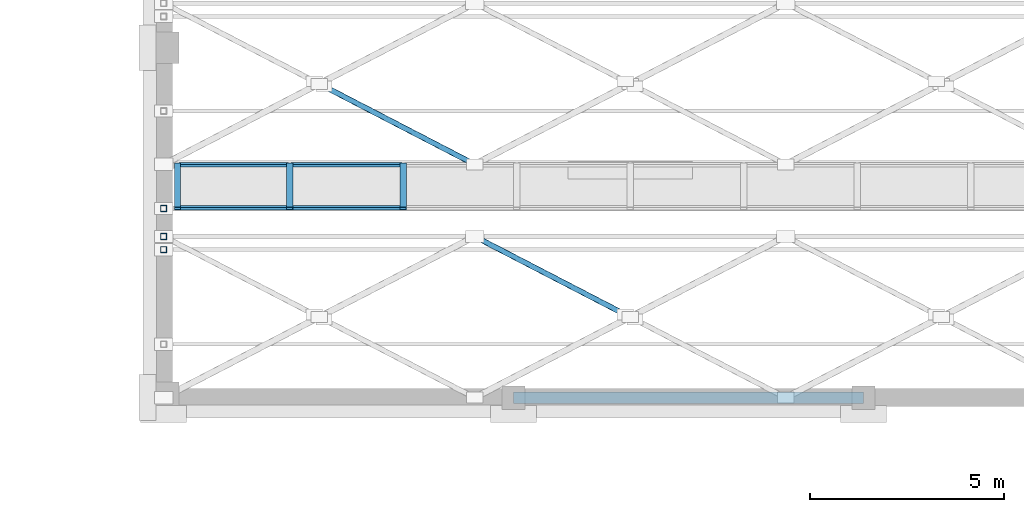
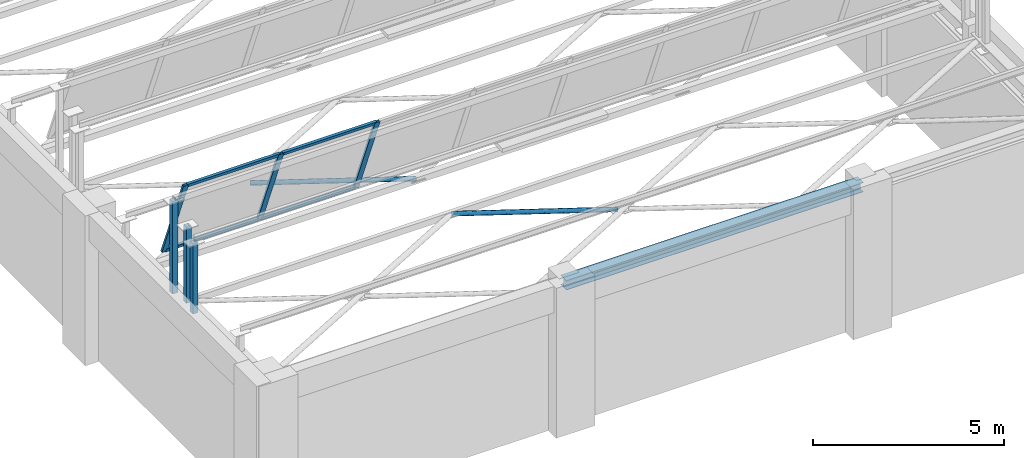
# One storey, part 50 of 98: 12 members, 1 beam, 1 element without a shape of its own.
"""IFC4 building model written with IfcOpenShell, lengths in metres."""

from ifc_helpers import new_model, si_unit, direction, frame, origin, origin_2d, place, context, subcontext, project, spatial, hollow_rectangle, hollow_circle, i_section, extrude, material, material_profile, profile_set, type_object, element, aggregate, save


model = new_model("IFC4")

# Units and contexts
model_context = context("Model", 3, precision=1e-05, world=origin(), true_north=direction((0.0, 1.0)))
body_context = subcontext(model_context, "Body", "Model", "MODEL_VIEW")
ifc_project = project(units=[si_unit("LENGTHUNIT", "METRE"), si_unit("AREAUNIT", "SQUARE_METRE"), si_unit("VOLUMEUNIT", "CUBIC_METRE"), si_unit("PLANEANGLEUNIT", "RADIAN"), si_unit("MASSUNIT", "GRAM", prefix="KILO")], contexts=[model_context])

# Site, building, storey
site_placement = place(None, origin())
site = spatial("IfcSite", under=ifc_project, at=site_placement, CompositionType="ELEMENT")
building_placement = place(site_placement, origin())
building = spatial("IfcBuilding", under=site, at=building_placement, Name="Lykobir Media Centre", CompositionType="ELEMENT")
storey_placement = place(building_placement, frame((0.0, 0.0, 10.199951171875)))
storey = spatial("IfcBuildingStorey", under=building, at=storey_placement, Name="L02", CompositionType="ELEMENT", Elevation=10.199951171875)

# Members
ifc_material_1 = material(Name="Steel S355", Category="steel")
ifc_material_profile_1 = material_profile(ifc_material_1, hollow_circle(Radius=0.06982421875, WallThickness=0.008056640625, at=origin_2d()), Name="CHS 139.7x8.0")
ifc_profile_set_1 = profile_set([ifc_material_profile_1], Name="Steel S355")
member_type_1 = type_object("IfcMemberType", Name="BR-CHS140", PredefinedType="BRACE", material=ifc_profile_set_1)
member_1_placement = place(storey_placement, frame((155.875732421875, 74.136962890625, 4.43994140625), z_axis=(-0.88790262671, 0.460031439666, 0.0), x_axis=(-0.460031439666, -0.88790262671, 0.0)))
element("IfcMember", 1, at=member_1_placement, inside=storey, type_object=member_type_1, Name="Diagonal brace MEM2-L02-1559-0741-0146-1520-0761-0293", PredefinedType="BRACE", context=body_context, shape_type="SweptSolid", body=[
    extrude(hollow_circle(Radius=0.06982421875, WallThickness=0.008056640625, at=origin_2d()), origin(), (0.0, 0.0, 1.0), 4.364990234375),
])
member_2_placement = place(storey_placement, frame((152.0, 78.0, 4.43994140625), z_axis=(-0.887879780504, 0.460075532247, 0.0), x_axis=(-0.460075532247, -0.887879780504, 0.0)))
element("IfcMember", 2, at=member_2_placement, inside=storey, type_object=member_type_1, Name="Diagonal brace MEM2-L02-1520-0780-0146-1481-0800-0309", PredefinedType="BRACE", context=body_context, shape_type="SweptSolid", body=[
    extrude(hollow_circle(Radius=0.06982421875, WallThickness=0.008056640625, at=origin_2d()), origin(), (0.0, 0.0, 1.0), 4.365234375),
])
ifc_material_profile_2 = material_profile(ifc_material_1, hollow_rectangle(XDim=0.159912109375, YDim=0.159912109375, WallThickness=0.008056640625, at=origin_2d()), Name="SHS 160x160x8")
ifc_profile_set_2 = profile_set([ifc_material_profile_2], Name="Steel S355")
member_type_2 = type_object("IfcMemberType", Name="BR-SHS160", PredefinedType="BRACE", material=ifc_profile_set_2)
member_3_placement = place(storey_placement, frame((144.0, 76.864990234375, 4.300048828125), z_axis=(0.0, 0.0, 1.0), x_axis=(1.0, 0.0, 0.0)))
element("IfcMember", 3, at=member_3_placement, inside=storey, type_object=member_type_2, Name="Diagonal brace MEM2-L02-1440-0769-0145-1440-0769-0282", PredefinedType="BRACE", context=body_context, shape_type="SweptSolid", body=[
    extrude(hollow_rectangle(XDim=0.159912109375, YDim=0.159912109375, WallThickness=0.008056640625, at=origin_2d()), origin(), (0.0, 0.0, 1.0), 2.958984375),
])
member_4_placement = place(storey_placement, frame((144.0, 76.14501953125, 4.43994140625), z_axis=(0.0, 0.0, 1.0), x_axis=(1.0, 0.0, 0.0)))
element("IfcMember", 4, at=member_4_placement, inside=storey, type_object=member_type_2, Name="Diagonal brace MEM2-L02-1440-0761-0146-1440-0761-0284", PredefinedType="BRACE", context=body_context, shape_type="SweptSolid", body=[
    extrude(hollow_rectangle(XDim=0.159912109375, YDim=0.159912109375, WallThickness=0.008056640625, at=origin_2d()), origin(), (0.0, 0.0, 1.0), 2.433349609375),
])
member_5_placement = place(storey_placement, frame((144.0, 75.805908203125, 4.300048828125), z_axis=(0.0, 0.0, 1.0), x_axis=(1.0, 0.0, 0.0)))
element("IfcMember", 5, at=member_5_placement, inside=storey, type_object=member_type_2, Name="Diagonal brace MEM2-L02-1440-0758-0145-1440-0758-0299", PredefinedType="BRACE", context=body_context, shape_type="SweptSolid", body=[
    extrude(hollow_rectangle(XDim=0.159912109375, YDim=0.159912109375, WallThickness=0.008056640625, at=origin_2d()), origin(), (0.0, 0.0, 1.0), 2.24462890625),
])

# Curtain wall, members
ifc_material_2 = material(Name="Anodized Aluminium AW-6060", Category="aluminium")
curtain_wall_type = type_object("IfcCurtainWallType", Name="CW-NL-V2", PredefinedType="NOTDEFINED", material=ifc_material_2)
curtain_wall_placement = place(storey_placement, origin())
curtain_wall = element("IfcCurtainWall", 6, at=curtain_wall_placement, inside=storey, type_object=curtain_wall_type, Name="Curtain wall CW-NL-V2-01", PredefinedType="NOTDEFINED")
ifc_material_profile_3 = material_profile(ifc_material_2, hollow_rectangle(XDim=0.070068359375, YDim=0.1650390625, WallThickness=0.00390625, at=origin_2d()), Name="ALU MULLION 70x165")
ifc_profile_set_3 = profile_set([ifc_material_profile_3], Name="Anodized Aluminium AW-6060")
member_type_3 = type_object("IfcMemberType", Name="CWM-165", PredefinedType="MULLION", material=ifc_profile_set_3)
member_6_placement = place(storey_placement, frame((144.35498046875, 78.0, 4.800048828125), z_axis=(0.0, -0.374653582974, 0.927164868168), x_axis=(0.0, 0.927164868168, 0.374653582974)))
member_6 = element("IfcMember", 7, at=member_6_placement, type_object=member_type_3, Name="CW-NL-V2-01 mullion 1", PredefinedType="MULLION", context=body_context, shape_type="SweptSolid", body=[
    extrude(hollow_rectangle(XDim=0.070068359375, YDim=0.1650390625, WallThickness=0.00390625, at=origin_2d()), origin(), (0.0, 0.0, 1.0), 3.029541015625),
])
member_7_placement = place(storey_placement, frame((147.239990234375, 78.0, 4.800048828125), z_axis=(0.0, -0.374653582974, 0.927164868168), x_axis=(0.0, 0.927164868168, 0.374653582974)))
member_7 = element("IfcMember", 8, at=member_7_placement, type_object=member_type_3, Name="CW-NL-V2-01 mullion 2", PredefinedType="MULLION", context=body_context, shape_type="SweptSolid", body=[
    extrude(hollow_rectangle(XDim=0.070068359375, YDim=0.1650390625, WallThickness=0.00390625, at=origin_2d()), origin(), (0.0, 0.0, 1.0), 3.029541015625),
])
member_8_placement = place(storey_placement, frame((150.159912109375, 78.0, 4.800048828125), z_axis=(0.0, -0.374653582974, 0.927164868168), x_axis=(0.0, 0.927164868168, 0.374653582974)))
member_8 = element("IfcMember", 9, at=member_8_placement, type_object=member_type_3, Name="CW-NL-V2-01 mullion 3", PredefinedType="MULLION", context=body_context, shape_type="SweptSolid", body=[
    extrude(hollow_rectangle(XDim=0.070068359375, YDim=0.1650390625, WallThickness=0.00390625, at=origin_2d()), origin(), (0.0, 0.0, 1.0), 3.029541015625),
])
ifc_material_profile_4 = material_profile(ifc_material_2, hollow_rectangle(XDim=0.070068359375, YDim=0.135009765625, WallThickness=0.00341796875, at=origin_2d()), Name="ALU TRANSOM 70x135")
ifc_profile_set_4 = profile_set([ifc_material_profile_4], Name="Anodized Aluminium AW-6060")
member_type_4 = type_object("IfcMemberType", Name="CWT-135", PredefinedType="USERDEFINED", material=ifc_profile_set_4)
member_9_placement = place(storey_placement, frame((144.389892578125, 77.98681640625, 4.83251953125), z_axis=(1.0, 0.0, 0.0), x_axis=(0.0, 0.927183854567, 0.374606593416)))
member_9 = element("IfcMember", 10, at=member_9_placement, type_object=member_type_4, Name="CW-NL-V2-01 transom 1.1", ObjectType="TRANSOM", PredefinedType="USERDEFINED", context=body_context, shape_type="SweptSolid", body=[
    extrude(hollow_rectangle(XDim=0.070068359375, YDim=0.135009765625, WallThickness=0.00341796875, at=origin_2d()), origin(), (0.0, 0.0, 1.0), 2.815185546875),
])
member_10_placement = place(storey_placement, frame((144.389892578125, 76.878173828125, 7.57666015625), z_axis=(1.0, 0.0, 0.0), x_axis=(0.0, 0.927183854567, 0.374606593416)))
member_10 = element("IfcMember", 11, at=member_10_placement, type_object=member_type_4, Name="CW-NL-V2-01 transom 1.2", ObjectType="TRANSOM", PredefinedType="USERDEFINED", context=body_context, shape_type="SweptSolid", body=[
    extrude(hollow_rectangle(XDim=0.070068359375, YDim=0.135009765625, WallThickness=0.00341796875, at=origin_2d()), origin(), (0.0, 0.0, 1.0), 2.815185546875),
])
member_11_placement = place(storey_placement, frame((147.27490234375, 77.98681640625, 4.83251953125), z_axis=(1.0, 0.0, 0.0), x_axis=(0.0, 0.927183854567, 0.374606593416)))
member_11 = element("IfcMember", 12, at=member_11_placement, type_object=member_type_4, Name="CW-NL-V2-01 transom 2.1", ObjectType="TRANSOM", PredefinedType="USERDEFINED", context=body_context, shape_type="SweptSolid", body=[
    extrude(hollow_rectangle(XDim=0.070068359375, YDim=0.135009765625, WallThickness=0.00341796875, at=origin_2d()), origin(), (0.0, 0.0, 1.0), 2.85009765625),
])
member_12_placement = place(storey_placement, frame((147.27490234375, 76.878173828125, 7.57666015625), z_axis=(1.0, 0.0, 0.0), x_axis=(0.0, 0.927183854567, 0.374606593416)))
member_12 = element("IfcMember", 13, at=member_12_placement, type_object=member_type_4, Name="CW-NL-V2-01 transom 2.2", ObjectType="TRANSOM", PredefinedType="USERDEFINED", context=body_context, shape_type="SweptSolid", body=[
    extrude(hollow_rectangle(XDim=0.070068359375, YDim=0.135009765625, WallThickness=0.00341796875, at=origin_2d()), origin(), (0.0, 0.0, 1.0), 2.85009765625),
])
aggregate(curtain_wall, [member_6, member_7, member_8, member_9, member_10, member_11, member_12])

# Beam
ifc_material_profile_5 = material_profile(ifc_material_1, i_section(OverallWidth=0.300048828125, OverallDepth=0.31005859375, WebThickness=0.009033203125, FlangeThickness=0.015380859375, at=origin_2d()), Name="HEA 320")
ifc_profile_set_5 = profile_set([ifc_material_profile_5], Name="Steel S355")
beam_type = type_object("IfcBeamType", Name="SP-HEA320", PredefinedType="SPANDREL", material=ifc_profile_set_5)
beam_placement = place(storey_placement, frame((153.0, 72.0, 4.39501953125), z_axis=(1.0, 0.0, 0.0), x_axis=(0.0, 1.0, 0.0)))
element("IfcBeam", 14, at=beam_placement, inside=storey, type_object=beam_type, Name="Beam BM-L02-1530-0720-1620-0720-1460", PredefinedType="SPANDREL", context=body_context, shape_type="SweptSolid", body=[
    extrude(i_section(OverallWidth=0.300048828125, OverallDepth=0.31005859375, WebThickness=0.009033203125, FlangeThickness=0.015380859375, at=origin_2d()), origin(), (0.0, 0.0, 1.0), 9.0),
])

save(model, "model.ifc")
